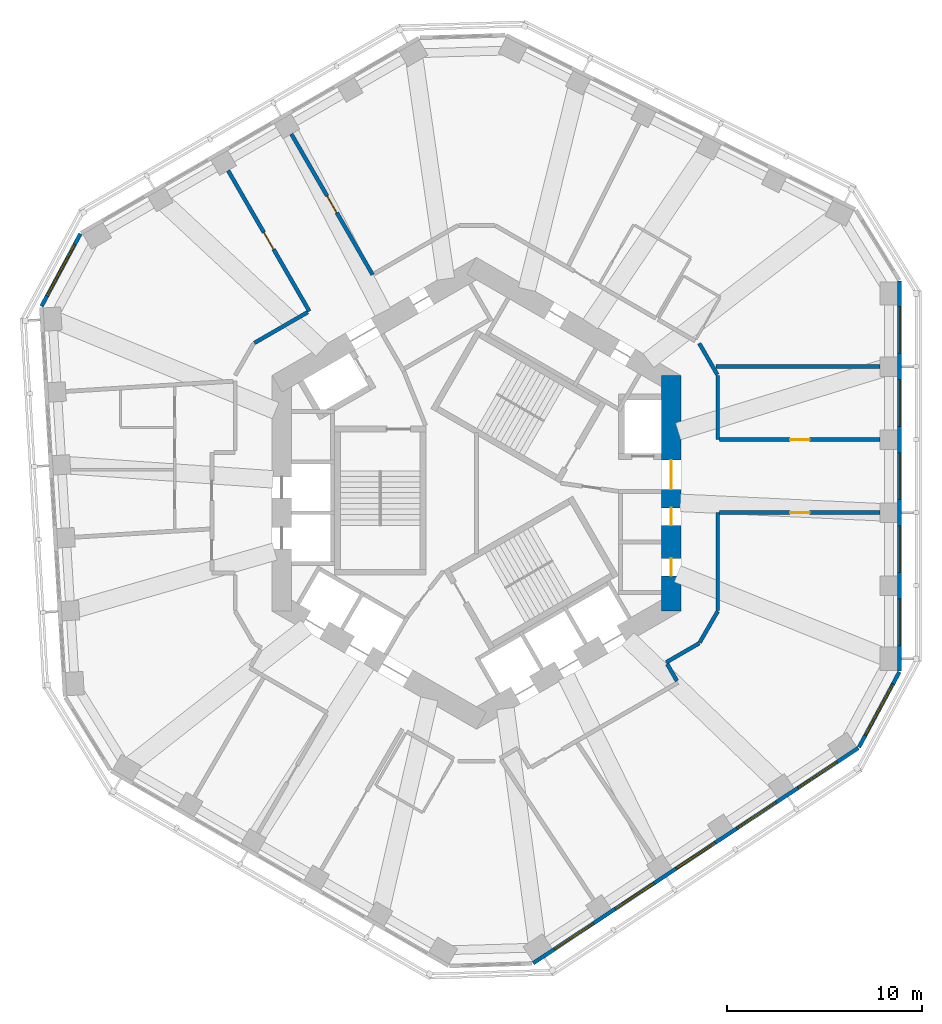
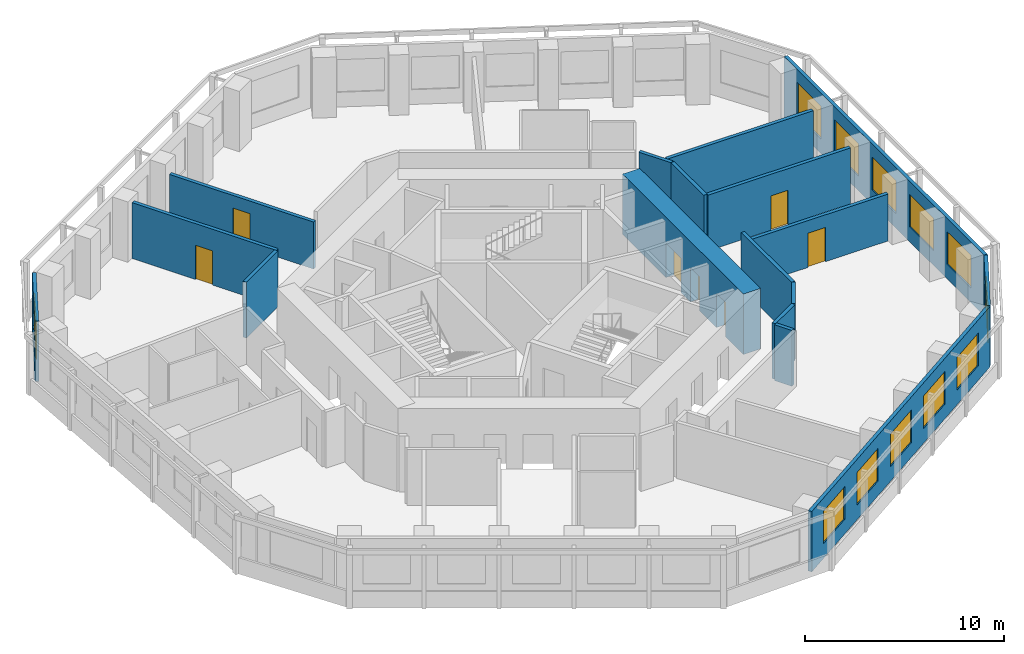
# One storey, part 6 of 10: 17 walls, 12 windows, 7 doors, 19 openings.
"""IFC4 building model written with IfcOpenShell, lengths in metres."""

import ifcopenshell
import ifcopenshell.guid

model = None  # the IFC model being written
_history = None  # IfcOwnerHistory: only IFC2X3 demands one
_inside = {}  # id of a spatial element -> (the spatial element, [elements in it])
_under = {}  # id of a project, library or spatial element -> (it, [spatial elements below it])
_declared = {}  # id of a project -> (the project, [libraries it declares])
_typed = {}  # id of a type object -> (the type object, [elements of that type])
_made_of = {}  # id of a material, layer set ... -> (it, [elements and type objects made of it])


def new_model(schema):
    """Start an empty IFC model of exactly this schema.

    Asked for "IFC4X3", IfcOpenShell would pick the latest addendum, in which some entities
    have other attributes; the version numbers below select the first issue.
    IFC2X3 requires an IfcOwnerHistory on every rooted entity: one is made here for all.
    """
    global model, _history
    if schema == "IFC4X3":
        model = ifcopenshell.file(schema_version=(4, 3, 0, 0))
    else:
        model = ifcopenshell.file(schema=schema)
    _inside.clear()
    _under.clear()
    _declared.clear()
    _typed.clear()
    _made_of.clear()
    _history = None
    if model.schema == "IFC2X3":
        org = make("IfcOrganization", Name="unknown")
        user = make(
            "IfcPersonAndOrganization",
            ThePerson=make("IfcPerson", FamilyName="unknown"),
            TheOrganization=org,
        )
        app = make(
            "IfcApplication",
            ApplicationDeveloper=org,
            Version="unknown",
            ApplicationFullName="unknown",
            ApplicationIdentifier="unknown",
        )
        _history = make(
            "IfcOwnerHistory",
            OwningUser=user,
            OwningApplication=app,
            ChangeAction="ADDED",
            CreationDate=0,
        )
    return model


def make(cls, **values):
    """One entity of the class cls with the attributes given. An attribute that is None is left unset."""
    return model.create_entity(
        cls, **{name: value for name, value in values.items() if value is not None}
    )


def rooted(cls, **values):
    """An entity with a GlobalId (a new one), such as an element, a storey or a relation."""
    return make(cls, GlobalId=ifcopenshell.guid.new(), OwnerHistory=_history, **values)


def si_unit(unit_type, name, prefix=None):
    """IfcSIUnit, for example si_unit("LENGTHUNIT", "METRE", prefix="MILLI")."""
    return make("IfcSIUnit", UnitType=unit_type, Prefix=prefix, Name=name)


def assignment(units):
    """IfcUnitAssignment: the units of a project."""
    return None if units is None else make("IfcUnitAssignment", Units=units)


def point(xyz):
    """IfcCartesianPoint."""
    return None if xyz is None else make("IfcCartesianPoint", Coordinates=xyz)


def direction(xyz):
    """IfcDirection."""
    return None if xyz is None else make("IfcDirection", DirectionRatios=xyz)


def frame(location, z_axis=None, x_axis=None):
    """IfcAxis2Placement3D, a coordinate frame: its origin and axes. An axis left out is left unset."""
    return make(
        "IfcAxis2Placement3D",
        Location=point(location),
        Axis=direction(z_axis),
        RefDirection=direction(x_axis),
    )


def frame_2d(location, x_axis=None):
    """IfcAxis2Placement2D, a coordinate frame in the plane: its origin and x axis."""
    return make(
        "IfcAxis2Placement2D", Location=point(location), RefDirection=direction(x_axis)
    )


def origin():
    """The frame at (0, 0, 0) with its axes left unset."""
    return frame((0.0, 0.0, 0.0))


def place(relative_to, where):
    """IfcLocalPlacement: puts the frame where relative to a parent placement (None: the world)."""
    return make(
        "IfcLocalPlacement", PlacementRelTo=relative_to, RelativePlacement=where
    )


def context(
    kind, dimensions, precision=None, world=None, true_north=None, identifier=None
):
    """IfcGeometricRepresentationContext, for example the 3D "Model" context."""
    return make(
        "IfcGeometricRepresentationContext",
        ContextIdentifier=identifier,
        ContextType=kind,
        CoordinateSpaceDimension=dimensions,
        Precision=precision,
        WorldCoordinateSystem=world,
        TrueNorth=true_north,
    )


def subcontext(parent, identifier, kind, view, scale=None):
    """IfcGeometricRepresentationSubContext, for example "Body" below "Model"."""
    return make(
        "IfcGeometricRepresentationSubContext",
        ContextIdentifier=identifier,
        ContextType=kind,
        ParentContext=parent,
        TargetScale=scale,
        TargetView=view,
    )


def project(units=None, contexts=None):
    """IfcProject with its units and contexts."""
    return rooted(
        "IfcProject",
        Name="project",
        RepresentationContexts=contexts,
        UnitsInContext=assignment(units),
    )


def spatial(cls, under=None, at=None, **own):
    """A site, building, storey or space (cls), placed at a placement, below another one or the project."""
    s = rooted(cls, ObjectPlacement=at, **own)
    if under is not None:
        _under.setdefault(under.id(), (under, []))[1].append(s)
    return s


def profile(cls, at=None, kind="AREA", **sizes):
    """A parametric profile (cls). Its sizes go by their IFC names, for example OverallWidth=200.0."""
    return make(cls, ProfileType=kind, Position=at, **sizes)


def rectangle(**sizes):
    """IfcRectangleProfileDef."""
    return profile("IfcRectangleProfileDef", **sizes)


def extrude(swept, where, along, depth):
    """IfcExtrudedAreaSolid: the profile swept, set in the frame where, extruded along a direction by depth."""
    return make(
        "IfcExtrudedAreaSolid",
        SweptArea=swept,
        Position=where,
        ExtrudedDirection=direction(along),
        Depth=depth,
    )


def shape(context_of_items, identifier, shape_type, items):
    """IfcShapeRepresentation: the items that make up one representation, for example the "Body"."""
    return make(
        "IfcShapeRepresentation",
        ContextOfItems=context_of_items,
        RepresentationIdentifier=identifier,
        RepresentationType=shape_type,
        Items=items,
    )


def material(Name=None, Category=None):
    """IfcMaterial."""
    return make("IfcMaterial", Name=Name, Category=Category)


def layer(
    of_material, thickness, ventilated=None, Name=None, Category=None, Priority=None
):
    """IfcMaterialLayer: one layer of a wall or slab, of a material (None: an air gap)."""
    return make(
        "IfcMaterialLayer",
        Material=of_material,
        LayerThickness=thickness,
        IsVentilated=ventilated,
        Name=Name,
        Category=Category,
        Priority=Priority,
    )


def layer_set(layers, Name=None):
    """IfcMaterialLayerSet."""
    return make("IfcMaterialLayerSet", MaterialLayers=layers, LayerSetName=Name)


def made_of(thing, what):
    """Note that an element or type object is made of a material, layer set ...; save() writes the relation."""
    if what is not None:
        _made_of.setdefault(what.id(), (what, []))[1].append(thing)
    return thing


def type_object(cls, material=None, **own):
    """A type object (cls), such as IfcWallType, which elements share."""
    return made_of(rooted(cls, **own), material)


def element(
    cls,
    number,
    at=None,
    inside=None,
    cuts=None,
    type_object=None,
    material=None,
    context=None,
    identifier="Body",
    shape_type=None,
    held_by="IfcProductDefinitionShape",
    body=None,
    shapes=None,
    **own,
):
    """One element of the class cls, such as IfcWall. Its Tag is "e" and its number.

    at: its placement. inside: the storey or other place that contains it. cuts: it is an
    opening in that element (IfcRelVoidsElement). A single representation is given by context,
    identifier, shape_type and body (its items); several are given by shapes. held_by: the class
    of the entity that holds the representations. save() writes the other relations.
    """
    e = rooted(cls, Tag="e%d" % number, ObjectPlacement=at, **own)
    if body is not None:
        shapes = [shape(context, identifier, shape_type, body)]
    if shapes is not None:
        e.Representation = make(held_by, Representations=shapes)
    if inside is not None:
        _inside.setdefault(inside.id(), (inside, []))[1].append(e)
    if cuts is not None:
        rooted(
            "IfcRelVoidsElement", RelatingBuildingElement=cuts, RelatedOpeningElement=e
        )
    if type_object is not None:
        _typed.setdefault(type_object.id(), (type_object, []))[1].append(e)
    return made_of(e, material)


def fill(opening, filler):
    """IfcRelFillsElement: the door or window that sits in an opening."""
    return rooted(
        "IfcRelFillsElement",
        RelatingOpeningElement=opening,
        RelatedBuildingElement=filler,
    )


def aggregate(whole, parts):
    """IfcRelAggregates: a whole, such as a stair, and the parts it consists of."""
    return rooted("IfcRelAggregates", RelatingObject=whole, RelatedObjects=parts)


def save(model, path):
    """Write the relations noted so far, then the file.

    IfcRelAggregates (storeys below a building ...), IfcRelContainedInSpatialStructure (elements
    in a storey), IfcRelDefinesByType, IfcRelAssociatesMaterial and IfcRelDeclares: one each for
    every whole, place, type object, material and project.
    """
    for whole, parts in _under.values():
        aggregate(whole, parts)
    for where, things in _inside.values():
        rooted(
            "IfcRelContainedInSpatialStructure",
            RelatedElements=things,
            RelatingStructure=where,
        )
    for kind, things in _typed.values():
        rooted("IfcRelDefinesByType", RelatedObjects=things, RelatingType=kind)
    for what, things in _made_of.values():
        rooted("IfcRelAssociatesMaterial", RelatedObjects=things, RelatingMaterial=what)
    for by, libraries in _declared.values():
        rooted("IfcRelDeclares", RelatingContext=by, RelatedDefinitions=libraries)
    model.write(path)


model = new_model("IFC4")

# Units and contexts
model_context = context("Model", 3, precision=1e-05, world=origin(), true_north=direction((0.0, 1.0)))
body_context = subcontext(model_context, "Body", "Model", "MODEL_VIEW")
ifc_project = project(units=[si_unit("LENGTHUNIT", "METRE"), si_unit("AREAUNIT", "SQUARE_METRE"), si_unit("VOLUMEUNIT", "CUBIC_METRE"), si_unit("PLANEANGLEUNIT", "RADIAN"), si_unit("MASSUNIT", "GRAM", prefix="KILO")], contexts=[model_context])

# Site, building, storey
site_placement = place(None, origin())
site = spatial("IfcSite", under=ifc_project, at=site_placement, CompositionType="ELEMENT")
building_placement = place(site_placement, origin())
building = spatial("IfcBuilding", under=site, at=building_placement, Name="Vanh Sen Convention Tower", CompositionType="ELEMENT")
storey_placement = place(building_placement, frame((0.0, 0.0, 157.699951171875)))
storey = spatial("IfcBuildingStorey", under=building, at=storey_placement, Name="L38", CompositionType="ELEMENT", Elevation=157.699951171875)

# Wall, openings, doors
ifc_material_1 = material(Name="Concrete C80/95", Category="concrete")
ifc_layer_1 = layer(ifc_material_1, 1.0)
ifc_layer_set_1 = layer_set([ifc_layer_1], Name="Concrete C80/95")
wall_type_1 = type_object("IfcWallType", Name="Core outer wall 1000 C80/95", PredefinedType="SHEAR", material=ifc_layer_set_1)
wall_1_placement = place(storey_placement, frame((10.0, -6.062255859375, 0.0), z_axis=(0.0, 0.0, 1.0), x_axis=(0.0, 1.0, 0.0)))
wall_1 = element("IfcWall", 1, at=wall_1_placement, inside=storey, type_object=wall_type_1, Name="Core wall face E L38", PredefinedType="SHEAR", context=body_context, shape_type="SweptSolid", body=[
    extrude(rectangle(XDim=12.12451171875, YDim=1.0, at=frame_2d((6.062255859375, 0.0))), origin(), (0.0, 0.0, 1.0), 3.699951171875),
])
opening_1_placement = place(wall_1_placement, frame((6.26220703125, 0.0, 0.0)))
opening_1 = element("IfcOpeningElement", 2, at=opening_1_placement, cuts=wall_1, Name="Opening D38001", PredefinedType="OPENING", context=body_context, shape_type="SweptSolid", body=[
    extrude(rectangle(XDim=1.5, YDim=2.10009765625, at=frame_2d((0.75, 1.050048828125))), frame((0.0, 0.510009765625, 0.0), z_axis=(0.0, -1.0, 0.0), x_axis=(1.0, 0.0, 0.0)), (0.0, 0.0, 1.0), 1.02001953125),
])
opening_2_placement = place(wall_1_placement, frame((1.812255859375, 0.0, 0.0)))
opening_2 = element("IfcOpeningElement", 3, at=opening_2_placement, cuts=wall_1, Name="Opening D38009", PredefinedType="OPENING", context=body_context, shape_type="SweptSolid", body=[
    extrude(rectangle(XDim=0.89990234375, YDim=2.10009765625, at=frame_2d((0.449951171875, 1.050048828125))), frame((0.0, 0.510009765625, 0.0), z_axis=(0.0, -1.0, 0.0), x_axis=(1.0, 0.0, 0.0)), (0.0, 0.0, 1.0), 1.02001953125),
])
opening_3_placement = place(wall_1_placement, frame((4.412109375, 0.0, 0.0)))
opening_3 = element("IfcOpeningElement", 4, at=opening_3_placement, cuts=wall_1, Name="Opening D38010", PredefinedType="OPENING", context=body_context, shape_type="SweptSolid", body=[
    extrude(rectangle(XDim=0.89990234375, YDim=2.10009765625, at=frame_2d((0.449951171875, 1.050048828125))), frame((0.0, 0.510009765625, 0.0), z_axis=(0.0, -1.0, 0.0), x_axis=(1.0, 0.0, 0.0)), (0.0, 0.0, 1.0), 1.02001953125),
])
ifc_material_2 = material(Name="Steel S355", Category="steel")
door_type_1 = type_object("IfcDoorType", Name="Plant door 900", OperationType="SINGLE_SWING_LEFT", PredefinedType="DOOR", material=ifc_material_2)
door_1_placement = place(opening_2_placement, origin())
door_1 = element("IfcDoor", 5, at=door_1_placement, inside=storey, type_object=door_type_1, Name="Plant door D38009", OperationType="SINGLE_SWING_LEFT", OverallHeight=2.10009765625, OverallWidth=0.89990234375, PredefinedType="DOOR", context=body_context, shape_type="SweptSolid", body=[
    extrude(rectangle(XDim=0.89990234375, YDim=2.10009765625, at=frame_2d((0.449951171875, 1.050048828125))), frame((0.0, 0.02490234375, 0.0), z_axis=(0.0, -1.0, 0.0), x_axis=(1.0, 0.0, 0.0)), (0.0, 0.0, 1.0), 0.050048828125),
])
fill(opening_2, door_1)
door_2_placement = place(opening_3_placement, origin())
door_2 = element("IfcDoor", 6, at=door_2_placement, inside=storey, type_object=door_type_1, Name="Plant door D38010", OperationType="SINGLE_SWING_LEFT", OverallHeight=2.10009765625, OverallWidth=0.89990234375, PredefinedType="DOOR", context=body_context, shape_type="SweptSolid", body=[
    extrude(rectangle(XDim=0.89990234375, YDim=2.10009765625, at=frame_2d((0.449951171875, 1.050048828125))), frame((0.0, 0.02490234375, 0.0), z_axis=(0.0, -1.0, 0.0), x_axis=(1.0, 0.0, 0.0)), (0.0, 0.0, 1.0), 0.050048828125),
])
fill(opening_3, door_2)
door_type_2 = type_object("IfcDoorType", Name="Stair lobby door 1500", OperationType="DOUBLE_DOOR_SINGLE_SWING", PredefinedType="DOOR", material=ifc_material_2)
door_3_placement = place(opening_1_placement, origin())
door_3 = element("IfcDoor", 7, at=door_3_placement, inside=storey, type_object=door_type_2, Name="Stair lobby door D38001", OperationType="DOUBLE_DOOR_SINGLE_SWING", OverallHeight=2.10009765625, OverallWidth=1.5, PredefinedType="DOOR", context=body_context, shape_type="SweptSolid", body=[
    extrude(rectangle(XDim=1.5, YDim=2.10009765625, at=frame_2d((0.75, 1.050048828125))), frame((0.0, 0.02490234375, 0.0), z_axis=(0.0, -1.0, 0.0), x_axis=(1.0, 0.0, 0.0)), (0.0, 0.0, 1.0), 0.050048828125),
])
fill(opening_1, door_3)

# Wall, opening, door
ifc_material_3 = material(Name="Gypsum board on steel studs with mineral wool", Category="steel")
ifc_layer_2 = layer(ifc_material_3, 0.199951171875)
ifc_layer_set_2 = layer_set([ifc_layer_2], Name="Gypsum board on steel studs with mineral wool")
wall_type_2 = type_object("IfcWallType", Name="Corridor partition wall 200", PredefinedType="PARTITIONING", material=ifc_layer_set_2)
wall_2_placement = place(storey_placement, frame((-12.766357421875, 16.58935546875, 0.0), z_axis=(0.0, 0.0, 1.0), x_axis=(0.500010139422, -0.866019549707, 0.0)))
wall_2 = element("IfcWall", 8, at=wall_2_placement, inside=storey, type_object=wall_type_2, Name="Corridor partition wall 200", PredefinedType="PARTITIONING", context=body_context, shape_type="SweptSolid", body=[
    extrude(rectangle(XDim=8.349853515625, YDim=0.199951171875, at=frame_2d((4.1748046875, 0.0))), origin(), (0.0, 0.0, 1.0), 3.420166015625),
])
opening_4_placement = place(wall_2_placement, frame((3.675048828125, 0.0, 0.0)))
opening_4 = element("IfcOpeningElement", 9, at=opening_4_placement, cuts=wall_2, Name="Opening D38106", PredefinedType="OPENING", context=body_context, shape_type="SweptSolid", body=[
    extrude(rectangle(XDim=1.0, YDim=2.10009765625, at=frame_2d((0.5, 1.050048828125))), frame((0.0, 0.10986328125, 0.0), z_axis=(0.0, -1.0, 0.0), x_axis=(1.0, 0.0, 0.0)), (0.0, 0.0, 1.0), 0.219970703125),
])
ifc_material_4 = material(Name="Timber fire door in steel frame", Category="steel")
door_type_3 = type_object("IfcDoorType", Name="Floor room door 1000", OperationType="SINGLE_SWING_LEFT", PredefinedType="DOOR", material=ifc_material_4)
door_4_placement = place(opening_4_placement, origin())
door_4 = element("IfcDoor", 10, at=door_4_placement, inside=storey, type_object=door_type_3, Name="Meeting and amenity room door D38106", OperationType="SINGLE_SWING_LEFT", OverallHeight=2.10009765625, OverallWidth=1.0, PredefinedType="DOOR", context=body_context, shape_type="SweptSolid", body=[
    extrude(rectangle(XDim=1.0, YDim=2.10009765625, at=frame_2d((0.5, 1.050048828125))), frame((0.0, 0.02490234375, 0.0), z_axis=(0.0, -1.0, 0.0), x_axis=(1.0, 0.0, 0.0)), (0.0, 0.0, 1.0), 0.050048828125),
])
fill(opening_4, door_4)

wall_3_placement = place(storey_placement, frame((-9.51513671875, 18.46630859375, 0.0), z_axis=(0.0, 0.0, 1.0), x_axis=(0.500010139422, -0.866019549707, 0.0)))
wall_3 = element("IfcWall", 11, at=wall_3_placement, inside=storey, type_object=wall_type_2, Name="Corridor partition wall 200", PredefinedType="PARTITIONING", context=body_context, shape_type="SweptSolid", body=[
    extrude(rectangle(XDim=8.349853515625, YDim=0.199951171875, at=frame_2d((4.1748046875, 0.0))), origin(), (0.0, 0.0, 1.0), 2.8701171875),
])
opening_5_placement = place(wall_3_placement, frame((3.675048828125, 0.0, 0.0)))
opening_5 = element("IfcOpeningElement", 12, at=opening_5_placement, cuts=wall_3, Name="Opening D38105", PredefinedType="OPENING", context=body_context, shape_type="SweptSolid", body=[
    extrude(rectangle(XDim=1.0, YDim=2.10009765625, at=frame_2d((0.5, 1.050048828125))), frame((0.0, 0.10986328125, 0.0), z_axis=(0.0, -1.0, 0.0), x_axis=(1.0, 0.0, 0.0)), (0.0, 0.0, 1.0), 0.219970703125),
])
door_5_placement = place(opening_5_placement, origin())
door_5 = element("IfcDoor", 13, at=door_5_placement, inside=storey, type_object=door_type_3, Name="Meeting and amenity room door D38105", OperationType="SINGLE_SWING_LEFT", OverallHeight=2.10009765625, OverallWidth=1.0, PredefinedType="DOOR", context=body_context, shape_type="SweptSolid", body=[
    extrude(rectangle(XDim=1.0, YDim=2.10009765625, at=frame_2d((0.5, 1.050048828125))), frame((0.0, 0.02490234375, 0.0), z_axis=(0.0, -1.0, 0.0), x_axis=(1.0, 0.0, 0.0)), (0.0, 0.0, 1.0), 0.050048828125),
])
fill(opening_5, door_5)

# Walls
wall_4_placement = place(storey_placement, frame((-8.677978515625, 9.30810546875, 0.0), z_axis=(0.0, 0.0, 1.0), x_axis=(-0.866000359435, -0.500043375578, 0.0)))
element("IfcWall", 14, at=wall_4_placement, inside=storey, type_object=wall_type_2, Name="Corridor partition wall 200", PredefinedType="PARTITIONING", context=body_context, shape_type="SweptSolid", body=[
    extrude(rectangle(XDim=3.160888671875, YDim=0.199951171875, at=frame_2d((1.58056640625, 0.0))), origin(), (0.0, 0.0, 1.0), 3.420166015625),
])
wall_5_placement = place(storey_placement, frame((9.751708984375, -8.688232421875, 0.0), z_axis=(0.0, 0.0, 1.0), x_axis=(0.865974105138, 0.500088841337, 0.0)))
element("IfcWall", 15, at=wall_5_placement, inside=storey, type_object=wall_type_2, Name="Corridor partition wall 200", PredefinedType="PARTITIONING", context=body_context, shape_type="SweptSolid", body=[
    extrude(rectangle(XDim=1.961181640625, YDim=0.199951171875, at=frame_2d((0.98046875, 0.0))), origin(), (0.0, 0.0, 1.0), 3.420166015625),
])
wall_6_placement = place(storey_placement, frame((10.302001953125, -9.6416015625, 0.0), z_axis=(0.0, 0.0, 1.0), x_axis=(-0.500074377092, 0.865982457891, 0.0)))
element("IfcWall", 16, at=wall_6_placement, inside=storey, type_object=wall_type_2, Name="Corridor partition wall 200", PredefinedType="PARTITIONING", context=body_context, shape_type="SweptSolid", body=[
    extrude(rectangle(XDim=1.000732421875, YDim=0.199951171875, at=frame_2d((0.50048828125, 0.0))), origin(), (0.0, 0.0, 1.0), 3.420166015625),
])
for number, where, z_axis, x_axis, name in (
    (17, (11.469970703125, -7.673095703125, 0.0), (0.0, 0.0, 1.0), (0.499964847546, 0.866045698112, 0.0), "Corridor partition wall 200"),
    (18, (12.3798828125, 6.0966796875, 0.0), (0.0, 0.0, 1.0), (-0.499964847546, 0.866045698112, 0.0), "Corridor partition wall 200"),
):
    element("IfcWall", number, at=place(storey_placement, frame(where, z_axis=z_axis, x_axis=x_axis)), inside=storey, type_object=wall_type_2, Name=name, PredefinedType="PARTITIONING", context=body_context, shape_type="SweptSolid", body=[
        extrude(rectangle(XDim=1.860107421875, YDim=0.199951171875, at=frame_2d((0.93017578125, 0.0))), origin(), (0.0, 0.0, 1.0), 3.420166015625),
    ])
wall_7_placement = place(storey_placement, frame((12.39990234375, -6.022216796875, 0.0), z_axis=(0.0, 0.0, 1.0), x_axis=(0.0, 1.0, 0.0)))
element("IfcWall", 19, at=wall_7_placement, inside=storey, type_object=wall_type_2, Name="Corridor partition wall 200", PredefinedType="PARTITIONING", context=body_context, shape_type="SweptSolid", body=[
    extrude(rectangle(XDim=5.029296875, YDim=0.199951171875, at=frame_2d((2.5146484375, 0.0))), origin(), (0.0, 0.0, 1.0), 3.420166015625),
])
wall_8_placement = place(storey_placement, frame((12.39990234375, 2.76123046875, 0.0), z_axis=(0.0, 0.0, 1.0), x_axis=(0.0, 1.0, 0.0)))
element("IfcWall", 20, at=wall_8_placement, inside=storey, type_object=wall_type_2, Name="Corridor partition wall 200", PredefinedType="PARTITIONING", context=body_context, shape_type="SweptSolid", body=[
    extrude(rectangle(XDim=3.301025390625, YDim=0.199951171875, at=frame_2d((1.650390625, 0.0))), origin(), (0.0, 0.0, 1.0), 3.420166015625),
])

# Wall, opening, door
wall_9_placement = place(storey_placement, frame((12.5, -0.992919921875, 0.0), z_axis=(0.0, 0.0, 1.0), x_axis=(1.0, 0.0, 0.0)))
wall_9 = element("IfcWall", 21, at=wall_9_placement, inside=storey, type_object=wall_type_2, Name="Corridor partition wall 200", PredefinedType="PARTITIONING", context=body_context, shape_type="SweptSolid", body=[
    extrude(rectangle(XDim=8.25, YDim=0.199951171875, at=frame_2d((4.125, 0.0))), origin(), (0.0, 0.0, 1.0), 2.8701171875),
])
opening_6_placement = place(wall_9_placement, frame((3.625, 0.0, 0.0)))
opening_6 = element("IfcOpeningElement", 22, at=opening_6_placement, cuts=wall_9, Name="Opening D38116", PredefinedType="OPENING", context=body_context, shape_type="SweptSolid", body=[
    extrude(rectangle(XDim=1.0, YDim=2.10009765625, at=frame_2d((0.5, 1.050048828125))), frame((0.0, 0.10986328125, 0.0), z_axis=(0.0, -1.0, 0.0), x_axis=(1.0, 0.0, 0.0)), (0.0, 0.0, 1.0), 0.219970703125),
])
door_6_placement = place(opening_6_placement, origin())
door_6 = element("IfcDoor", 23, at=door_6_placement, inside=storey, type_object=door_type_3, Name="Meeting and amenity room door D38116", OperationType="SINGLE_SWING_LEFT", OverallHeight=2.10009765625, OverallWidth=1.0, PredefinedType="DOOR", context=body_context, shape_type="SweptSolid", body=[
    extrude(rectangle(XDim=1.0, YDim=2.10009765625, at=frame_2d((0.5, 1.050048828125))), frame((0.0, 0.02490234375, 0.0), z_axis=(0.0, -1.0, 0.0), x_axis=(1.0, 0.0, 0.0)), (0.0, 0.0, 1.0), 0.050048828125),
])
fill(opening_6, door_6)

wall_10_placement = place(storey_placement, frame((20.75, 2.76123046875, 0.0), z_axis=(0.0, 0.0, 1.0), x_axis=(-1.0, 0.0, 0.0)))
wall_10 = element("IfcWall", 24, at=wall_10_placement, inside=storey, type_object=wall_type_2, Name="Corridor partition wall 200", PredefinedType="PARTITIONING", context=body_context, shape_type="SweptSolid", body=[
    extrude(rectangle(XDim=8.25, YDim=0.199951171875, at=frame_2d((4.125, 0.0))), origin(), (0.0, 0.0, 1.0), 3.420166015625),
])
opening_7_placement = place(wall_10_placement, frame((3.625, 0.0, 0.0)))
opening_7 = element("IfcOpeningElement", 25, at=opening_7_placement, cuts=wall_10, Name="Opening D38101", PredefinedType="OPENING", context=body_context, shape_type="SweptSolid", body=[
    extrude(rectangle(XDim=1.0, YDim=2.10009765625, at=frame_2d((0.5, 1.050048828125))), frame((0.0, 0.10986328125, 0.0), z_axis=(0.0, -1.0, 0.0), x_axis=(1.0, 0.0, 0.0)), (0.0, 0.0, 1.0), 0.219970703125),
])
ifc_material_5 = material(Name="Glazed fire door in steel frame", Category="steel")
door_type_4 = type_object("IfcDoorType", Name="Tenant entrance door 1000", OperationType="SINGLE_SWING_LEFT", PredefinedType="DOOR", material=ifc_material_5)
door_7_placement = place(opening_7_placement, origin())
door_7 = element("IfcDoor", 26, at=door_7_placement, inside=storey, type_object=door_type_4, Name="Tenant suite entrance door D38101", OperationType="SINGLE_SWING_LEFT", OverallHeight=2.10009765625, OverallWidth=1.0, PredefinedType="DOOR", context=body_context, shape_type="SweptSolid", body=[
    extrude(rectangle(XDim=1.0, YDim=2.10009765625, at=frame_2d((0.5, 1.050048828125))), frame((0.0, 0.02490234375, 0.0), z_axis=(0.0, -1.0, 0.0), x_axis=(1.0, 0.0, 0.0)), (0.0, 0.0, 1.0), 0.050048828125),
])
fill(opening_7, door_7)

# Wall, openings, windows
ifc_material_6 = material(Name="Insulated lightweight infill wall")
ifc_layer_3 = layer(ifc_material_6, 0.199951171875)
ifc_layer_set_3 = layer_set([ifc_layer_3], Name="Insulated lightweight infill wall")
wall_type_3 = type_object("IfcWallType", Name="External wall 200", PredefinedType="STANDARD", material=ifc_layer_set_3)
wall_11_placement = place(storey_placement, frame((21.75, -9.138427734375, 0.0), z_axis=(0.0, 0.0, 1.0), x_axis=(0.0, 1.0, 0.0)))
wall_11 = element("IfcWall", 27, at=wall_11_placement, inside=storey, type_object=wall_type_3, Name="External wall E L38", PredefinedType="STANDARD", context=body_context, shape_type="SweptSolid", body=[
    extrude(rectangle(XDim=20.043701171875, YDim=0.199951171875, at=frame_2d((10.02197265625, 0.0))), origin(), (0.0, 0.0, 1.0), 3.699951171875),
])
opening_8_placement = place(wall_11_placement, frame((1.314453125, 0.0, 0.89990234375)))
opening_8 = element("IfcOpeningElement", 28, at=opening_8_placement, cuts=wall_11, Name="Opening WO1-E1", PredefinedType="OPENING", context=body_context, shape_type="SweptSolid", body=[
    extrude(rectangle(XDim=2.39990234375, YDim=2.0, at=frame_2d((1.199951171875, 1.0))), frame((0.0, 0.10986328125, 0.0), z_axis=(0.0, -1.0, 0.0), x_axis=(1.0, 0.0, 0.0)), (0.0, 0.0, 1.0), 0.219970703125),
])
opening_9_placement = place(wall_11_placement, frame((5.068603515625, 0.0, 0.89990234375)))
opening_9 = element("IfcOpeningElement", 29, at=opening_9_placement, cuts=wall_11, Name="Opening WO1-E2", PredefinedType="OPENING", context=body_context, shape_type="SweptSolid", body=[
    extrude(rectangle(XDim=2.39990234375, YDim=2.0, at=frame_2d((1.199951171875, 1.0))), frame((0.0, 0.10986328125, 0.0), z_axis=(0.0, -1.0, 0.0), x_axis=(1.0, 0.0, 0.0)), (0.0, 0.0, 1.0), 0.219970703125),
])
opening_10_placement = place(wall_11_placement, frame((8.82275390625, 0.0, 0.89990234375)))
opening_10 = element("IfcOpeningElement", 30, at=opening_10_placement, cuts=wall_11, Name="Opening WO1-E3", PredefinedType="OPENING", context=body_context, shape_type="SweptSolid", body=[
    extrude(rectangle(XDim=2.39990234375, YDim=2.0, at=frame_2d((1.199951171875, 1.0))), frame((0.0, 0.10986328125, 0.0), z_axis=(0.0, -1.0, 0.0), x_axis=(1.0, 0.0, 0.0)), (0.0, 0.0, 1.0), 0.219970703125),
])
opening_11_placement = place(wall_11_placement, frame((12.576904296875, 0.0, 0.89990234375)))
opening_11 = element("IfcOpeningElement", 31, at=opening_11_placement, cuts=wall_11, Name="Opening WO1-E4", PredefinedType="OPENING", context=body_context, shape_type="SweptSolid", body=[
    extrude(rectangle(XDim=2.39990234375, YDim=2.0, at=frame_2d((1.199951171875, 1.0))), frame((0.0, 0.10986328125, 0.0), z_axis=(0.0, -1.0, 0.0), x_axis=(1.0, 0.0, 0.0)), (0.0, 0.0, 1.0), 0.219970703125),
])
opening_12_placement = place(wall_11_placement, frame((16.330810546875, 0.0, 0.89990234375)))
opening_12 = element("IfcOpeningElement", 32, at=opening_12_placement, cuts=wall_11, Name="Opening WO1-E5", PredefinedType="OPENING", context=body_context, shape_type="SweptSolid", body=[
    extrude(rectangle(XDim=2.39990234375, YDim=2.0, at=frame_2d((1.199951171875, 1.0))), frame((0.0, 0.10986328125, 0.0), z_axis=(0.0, -1.0, 0.0), x_axis=(1.0, 0.0, 0.0)), (0.0, 0.0, 1.0), 0.219970703125),
])
ifc_material_7 = material(Name="Aluminium frame with clear low-emissivity glass", Category="aluminium")
window_type_1 = type_object("IfcWindowType", Name="Office window 2400 x 2000", PartitioningType="SINGLE_PANEL", PredefinedType="WINDOW", material=ifc_material_7)
window_1_placement = place(opening_8_placement, origin())
window_1 = element("IfcWindow", 33, at=window_1_placement, inside=storey, type_object=window_type_1, Name="Window WO1-E1", OverallHeight=2.0, OverallWidth=2.39990234375, PartitioningType="SINGLE_PANEL", PredefinedType="WINDOW", context=body_context, shape_type="SweptSolid", body=[
    extrude(rectangle(XDim=2.39990234375, YDim=2.0, at=frame_2d((1.199951171875, 1.0))), frame((0.0, 0.030029296875, 0.0), z_axis=(0.0, -1.0, 0.0), x_axis=(1.0, 0.0, 0.0)), (0.0, 0.0, 1.0), 0.06005859375),
])
fill(opening_8, window_1)
window_2_placement = place(opening_9_placement, origin())
window_2 = element("IfcWindow", 34, at=window_2_placement, inside=storey, type_object=window_type_1, Name="Window WO1-E2", OverallHeight=2.0, OverallWidth=2.39990234375, PartitioningType="SINGLE_PANEL", PredefinedType="WINDOW", context=body_context, shape_type="SweptSolid", body=[
    extrude(rectangle(XDim=2.39990234375, YDim=2.0, at=frame_2d((1.199951171875, 1.0))), frame((0.0, 0.030029296875, 0.0), z_axis=(0.0, -1.0, 0.0), x_axis=(1.0, 0.0, 0.0)), (0.0, 0.0, 1.0), 0.06005859375),
])
fill(opening_9, window_2)
window_3_placement = place(opening_10_placement, origin())
window_3 = element("IfcWindow", 35, at=window_3_placement, inside=storey, type_object=window_type_1, Name="Window WO1-E3", OverallHeight=2.0, OverallWidth=2.39990234375, PartitioningType="SINGLE_PANEL", PredefinedType="WINDOW", context=body_context, shape_type="SweptSolid", body=[
    extrude(rectangle(XDim=2.39990234375, YDim=2.0, at=frame_2d((1.199951171875, 1.0))), frame((0.0, 0.030029296875, 0.0), z_axis=(0.0, -1.0, 0.0), x_axis=(1.0, 0.0, 0.0)), (0.0, 0.0, 1.0), 0.06005859375),
])
fill(opening_10, window_3)
window_4_placement = place(opening_11_placement, origin())
window_4 = element("IfcWindow", 36, at=window_4_placement, inside=storey, type_object=window_type_1, Name="Window WO1-E4", OverallHeight=2.0, OverallWidth=2.39990234375, PartitioningType="SINGLE_PANEL", PredefinedType="WINDOW", context=body_context, shape_type="SweptSolid", body=[
    extrude(rectangle(XDim=2.39990234375, YDim=2.0, at=frame_2d((1.199951171875, 1.0))), frame((0.0, 0.030029296875, 0.0), z_axis=(0.0, -1.0, 0.0), x_axis=(1.0, 0.0, 0.0)), (0.0, 0.0, 1.0), 0.06005859375),
])
fill(opening_11, window_4)
window_5_placement = place(opening_12_placement, origin())
window_5 = element("IfcWindow", 37, at=window_5_placement, inside=storey, type_object=window_type_1, Name="Window WO1-E5", OverallHeight=2.0, OverallWidth=2.39990234375, PartitioningType="SINGLE_PANEL", PredefinedType="WINDOW", context=body_context, shape_type="SweptSolid", body=[
    extrude(rectangle(XDim=2.39990234375, YDim=2.0, at=frame_2d((1.199951171875, 1.0))), frame((0.0, 0.030029296875, 0.0), z_axis=(0.0, -1.0, 0.0), x_axis=(1.0, 0.0, 0.0)), (0.0, 0.0, 1.0), 0.06005859375),
])
fill(opening_12, window_5)

# Wall, opening, window
wall_12_placement = place(storey_placement, frame((-20.357421875, 13.343994140625, 0.0), z_axis=(0.0, 0.0, 1.0), x_axis=(-0.473288913494, -0.880907262068, 0.0)))
wall_12 = element("IfcWall", 38, at=wall_12_placement, inside=storey, type_object=wall_type_3, Name="External wall CH3 L38", PredefinedType="STANDARD", context=body_context, shape_type="SweptSolid", body=[
    extrude(rectangle(XDim=4.238037109375, YDim=0.199951171875, at=frame_2d((2.119140625, 0.0))), origin(), (0.0, 0.0, 1.0), 3.699951171875),
])
opening_13_placement = place(wall_12_placement, frame((0.619140625, 0.0, 0.89990234375)))
opening_13 = element("IfcOpeningElement", 39, at=opening_13_placement, cuts=wall_12, Name="Opening WO2-CH31", PredefinedType="OPENING", context=body_context, shape_type="SweptSolid", body=[
    extrude(rectangle(XDim=3.0, YDim=2.0, at=frame_2d((1.5, 1.0))), frame((0.0, 0.10986328125, 0.0), z_axis=(0.0, -1.0, 0.0), x_axis=(1.0, 0.0, 0.0)), (0.0, 0.0, 1.0), 0.219970703125),
])
window_type_2 = type_object("IfcWindowType", Name="Office window 3000 x 2000", PartitioningType="SINGLE_PANEL", PredefinedType="WINDOW", material=ifc_material_7)
window_6_placement = place(opening_13_placement, origin())
window_6 = element("IfcWindow", 40, at=window_6_placement, inside=storey, type_object=window_type_2, Name="Window WO2-CH31", OverallHeight=2.0, OverallWidth=3.0, PartitioningType="SINGLE_PANEL", PredefinedType="WINDOW", context=body_context, shape_type="SweptSolid", body=[
    extrude(rectangle(XDim=3.0, YDim=2.0, at=frame_2d((1.5, 1.0))), frame((0.0, 0.030029296875, 0.0), z_axis=(0.0, -1.0, 0.0), x_axis=(1.0, 0.0, 0.0)), (0.0, 0.0, 1.0), 0.06005859375),
])
fill(opening_13, window_6)

# Wall, openings, windows
wall_13_placement = place(storey_placement, frame((2.910888671875, -24.156005859375, 0.0), z_axis=(0.0, 0.0, 1.0), x_axis=(0.833882163564, 0.551942512668, 0.0)))
wall_13 = element("IfcWall", 41, at=wall_13_placement, inside=storey, type_object=wall_type_3, Name="External wall SE L38", PredefinedType="STANDARD", context=body_context, shape_type="SweptSolid", body=[
    extrude(rectangle(XDim=20.043701171875, YDim=0.199951171875, at=frame_2d((10.02197265625, 0.0))), origin(), (0.0, 0.0, 1.0), 3.699951171875),
])
opening_14_placement = place(wall_13_placement, frame((1.312744140625, 0.0, 0.89990234375)))
opening_14 = element("IfcOpeningElement", 42, at=opening_14_placement, cuts=wall_13, Name="Opening WO1-SE1", PredefinedType="OPENING", context=body_context, shape_type="SweptSolid", body=[
    extrude(rectangle(XDim=2.39990234375, YDim=2.0, at=frame_2d((1.199951171875, 1.0))), frame((0.0, 0.10986328125, 0.0), z_axis=(0.0, -1.0, 0.0), x_axis=(1.0, 0.0, 0.0)), (0.0, 0.0, 1.0), 0.219970703125),
])
opening_15_placement = place(wall_13_placement, frame((5.06689453125, 0.0, 0.89990234375)))
opening_15 = element("IfcOpeningElement", 43, at=opening_15_placement, cuts=wall_13, Name="Opening WO1-SE2", PredefinedType="OPENING", context=body_context, shape_type="SweptSolid", body=[
    extrude(rectangle(XDim=2.39990234375, YDim=2.0, at=frame_2d((1.199951171875, 1.0))), frame((0.0, 0.10986328125, 0.0), z_axis=(0.0, -1.0, 0.0), x_axis=(1.0, 0.0, 0.0)), (0.0, 0.0, 1.0), 0.219970703125),
])
opening_16_placement = place(wall_13_placement, frame((8.82080078125, 0.0, 0.89990234375)))
opening_16 = element("IfcOpeningElement", 44, at=opening_16_placement, cuts=wall_13, Name="Opening WO1-SE3", PredefinedType="OPENING", context=body_context, shape_type="SweptSolid", body=[
    extrude(rectangle(XDim=2.39990234375, YDim=2.0, at=frame_2d((1.199951171875, 1.0))), frame((0.0, 0.10986328125, 0.0), z_axis=(0.0, -1.0, 0.0), x_axis=(1.0, 0.0, 0.0)), (0.0, 0.0, 1.0), 0.219970703125),
])
opening_17_placement = place(wall_13_placement, frame((12.5751953125, 0.0, 0.89990234375)))
opening_17 = element("IfcOpeningElement", 45, at=opening_17_placement, cuts=wall_13, Name="Opening WO1-SE4", PredefinedType="OPENING", context=body_context, shape_type="SweptSolid", body=[
    extrude(rectangle(XDim=2.39990234375, YDim=2.0, at=frame_2d((1.199951171875, 1.0))), frame((0.0, 0.10986328125, 0.0), z_axis=(0.0, -1.0, 0.0), x_axis=(1.0, 0.0, 0.0)), (0.0, 0.0, 1.0), 0.219970703125),
])
opening_18_placement = place(wall_13_placement, frame((16.3291015625, 0.0, 0.89990234375)))
opening_18 = element("IfcOpeningElement", 46, at=opening_18_placement, cuts=wall_13, Name="Opening WO1-SE5", PredefinedType="OPENING", context=body_context, shape_type="SweptSolid", body=[
    extrude(rectangle(XDim=2.39990234375, YDim=2.0, at=frame_2d((1.199951171875, 1.0))), frame((0.0, 0.10986328125, 0.0), z_axis=(0.0, -1.0, 0.0), x_axis=(1.0, 0.0, 0.0)), (0.0, 0.0, 1.0), 0.219970703125),
])
window_7_placement = place(opening_14_placement, origin())
window_7 = element("IfcWindow", 47, at=window_7_placement, inside=storey, type_object=window_type_1, Name="Window WO1-SE1", OverallHeight=2.0, OverallWidth=2.39990234375, PartitioningType="SINGLE_PANEL", PredefinedType="WINDOW", context=body_context, shape_type="SweptSolid", body=[
    extrude(rectangle(XDim=2.39990234375, YDim=2.0, at=frame_2d((1.199951171875, 1.0))), frame((0.0, 0.030029296875, 0.0), z_axis=(0.0, -1.0, 0.0), x_axis=(1.0, 0.0, 0.0)), (0.0, 0.0, 1.0), 0.06005859375),
])
fill(opening_14, window_7)
window_8_placement = place(opening_15_placement, origin())
window_8 = element("IfcWindow", 48, at=window_8_placement, inside=storey, type_object=window_type_1, Name="Window WO1-SE2", OverallHeight=2.0, OverallWidth=2.39990234375, PartitioningType="SINGLE_PANEL", PredefinedType="WINDOW", context=body_context, shape_type="SweptSolid", body=[
    extrude(rectangle(XDim=2.39990234375, YDim=2.0, at=frame_2d((1.199951171875, 1.0))), frame((0.0, 0.030029296875, 0.0), z_axis=(0.0, -1.0, 0.0), x_axis=(1.0, 0.0, 0.0)), (0.0, 0.0, 1.0), 0.06005859375),
])
fill(opening_15, window_8)
window_9_placement = place(opening_16_placement, origin())
window_9 = element("IfcWindow", 49, at=window_9_placement, inside=storey, type_object=window_type_1, Name="Window WO1-SE3", OverallHeight=2.0, OverallWidth=2.39990234375, PartitioningType="SINGLE_PANEL", PredefinedType="WINDOW", context=body_context, shape_type="SweptSolid", body=[
    extrude(rectangle(XDim=2.39990234375, YDim=2.0, at=frame_2d((1.199951171875, 1.0))), frame((0.0, 0.030029296875, 0.0), z_axis=(0.0, -1.0, 0.0), x_axis=(1.0, 0.0, 0.0)), (0.0, 0.0, 1.0), 0.06005859375),
])
fill(opening_16, window_9)
window_10_placement = place(opening_17_placement, origin())
window_10 = element("IfcWindow", 50, at=window_10_placement, inside=storey, type_object=window_type_1, Name="Window WO1-SE4", OverallHeight=2.0, OverallWidth=2.39990234375, PartitioningType="SINGLE_PANEL", PredefinedType="WINDOW", context=body_context, shape_type="SweptSolid", body=[
    extrude(rectangle(XDim=2.39990234375, YDim=2.0, at=frame_2d((1.199951171875, 1.0))), frame((0.0, 0.030029296875, 0.0), z_axis=(0.0, -1.0, 0.0), x_axis=(1.0, 0.0, 0.0)), (0.0, 0.0, 1.0), 0.06005859375),
])
fill(opening_17, window_10)
window_11_placement = place(opening_18_placement, origin())
window_11 = element("IfcWindow", 51, at=window_11_placement, inside=storey, type_object=window_type_1, Name="Window WO1-SE5", OverallHeight=2.0, OverallWidth=2.39990234375, PartitioningType="SINGLE_PANEL", PredefinedType="WINDOW", context=body_context, shape_type="SweptSolid", body=[
    extrude(rectangle(XDim=2.39990234375, YDim=2.0, at=frame_2d((1.199951171875, 1.0))), frame((0.0, 0.030029296875, 0.0), z_axis=(0.0, -1.0, 0.0), x_axis=(1.0, 0.0, 0.0)), (0.0, 0.0, 1.0), 0.06005859375),
])
fill(opening_18, window_11)

# Wall, opening, window
wall_14_placement = place(storey_placement, frame((19.657958984375, -13.05712890625, 0.0), z_axis=(0.0, 0.0, 1.0), x_axis=(0.473307879841, 0.880897071672, 0.0)))
wall_14 = element("IfcWall", 52, at=wall_14_placement, inside=storey, type_object=wall_type_3, Name="External wall CH6 L38", PredefinedType="STANDARD", context=body_context, shape_type="SweptSolid", body=[
    extrude(rectangle(XDim=4.394775390625, YDim=0.199951171875, at=frame_2d((2.197265625, 0.0))), origin(), (0.0, 0.0, 1.0), 3.699951171875),
])
opening_19_placement = place(wall_14_placement, frame((0.697509765625, 0.0, 0.89990234375)))
opening_19 = element("IfcOpeningElement", 53, at=opening_19_placement, cuts=wall_14, Name="Opening WO2-CH61", PredefinedType="OPENING", context=body_context, shape_type="SweptSolid", body=[
    extrude(rectangle(XDim=3.0, YDim=2.0, at=frame_2d((1.5, 1.0))), frame((0.0, 0.10986328125, 0.0), z_axis=(0.0, -1.0, 0.0), x_axis=(1.0, 0.0, 0.0)), (0.0, 0.0, 1.0), 0.219970703125),
])
window_12_placement = place(opening_19_placement, origin())
window_12 = element("IfcWindow", 54, at=window_12_placement, inside=storey, type_object=window_type_2, Name="Window WO2-CH61", OverallHeight=2.0, OverallWidth=3.0, PartitioningType="SINGLE_PANEL", PredefinedType="WINDOW", context=body_context, shape_type="SweptSolid", body=[
    extrude(rectangle(XDim=3.0, YDim=2.0, at=frame_2d((1.5, 1.0))), frame((0.0, 0.030029296875, 0.0), z_axis=(0.0, -1.0, 0.0), x_axis=(1.0, 0.0, 0.0)), (0.0, 0.0, 1.0), 0.06005859375),
])
fill(opening_19, window_12)

# Wall
ifc_layer_4 = layer(ifc_material_3, 0.199951171875)
ifc_layer_set_4 = layer_set([ifc_layer_4], Name="Gypsum board on steel studs with mineral wool")
wall_type_4 = type_object("IfcWallType", Name="Tenant suite wall 200", PredefinedType="PARTITIONING", material=ifc_layer_set_4)
wall_15_placement = place(storey_placement, frame((20.75, 6.515380859375, 0.0), z_axis=(0.0, 0.0, 1.0), x_axis=(-1.0, 0.0, 0.0)))
element("IfcWall", 55, at=wall_15_placement, inside=storey, type_object=wall_type_4, Name="Tenant suite wall 200", PredefinedType="PARTITIONING", context=body_context, shape_type="SweptSolid", body=[
    extrude(rectangle(XDim=8.45166015625, YDim=0.199951171875, at=frame_2d((4.225830078125, 0.0))), origin(), (0.0, 0.0, 1.0), 3.420166015625),
])

save(model, "model.ifc")
